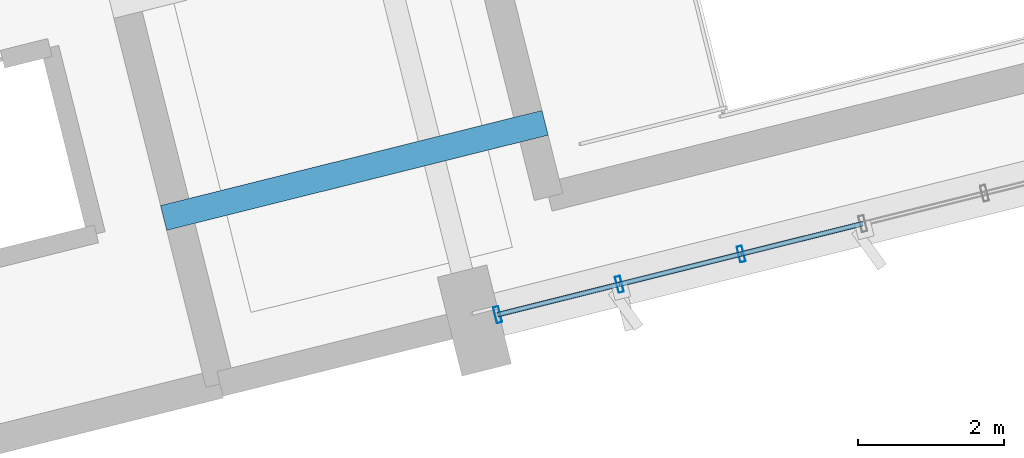
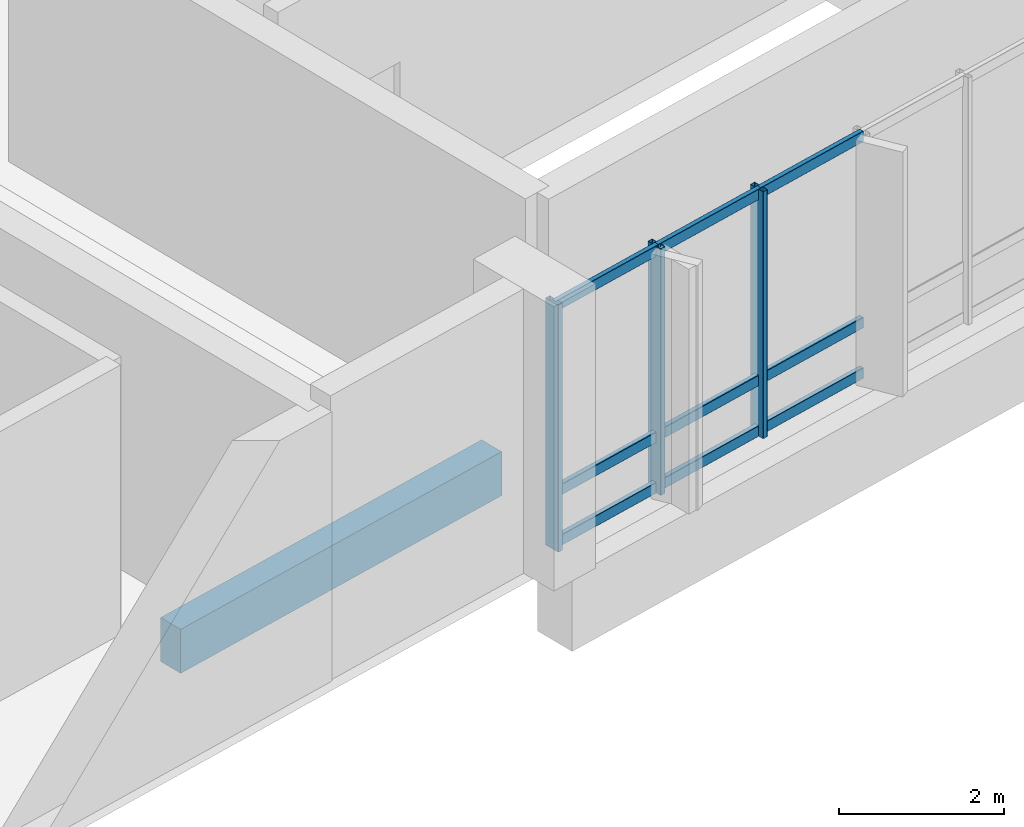
# One storey, part 3 of 22: 12 members, 1 beam, 1 element without a shape of its own.
"""IFC4 building model written with IfcOpenShell, lengths in metres."""

import ifcopenshell
import ifcopenshell.guid

model = None  # the IFC model being written
_history = None  # IfcOwnerHistory: only IFC2X3 demands one
_inside = {}  # id of a spatial element -> (the spatial element, [elements in it])
_under = {}  # id of a project, library or spatial element -> (it, [spatial elements below it])
_declared = {}  # id of a project -> (the project, [libraries it declares])
_typed = {}  # id of a type object -> (the type object, [elements of that type])
_made_of = {}  # id of a material, layer set ... -> (it, [elements and type objects made of it])


def new_model(schema):
    """Start an empty IFC model of exactly this schema.

    Asked for "IFC4X3", IfcOpenShell would pick the latest addendum, in which some entities
    have other attributes; the version numbers below select the first issue.
    IFC2X3 requires an IfcOwnerHistory on every rooted entity: one is made here for all.
    """
    global model, _history
    if schema == "IFC4X3":
        model = ifcopenshell.file(schema_version=(4, 3, 0, 0))
    else:
        model = ifcopenshell.file(schema=schema)
    _inside.clear()
    _under.clear()
    _declared.clear()
    _typed.clear()
    _made_of.clear()
    _history = None
    if model.schema == "IFC2X3":
        org = make("IfcOrganization", Name="unknown")
        user = make(
            "IfcPersonAndOrganization",
            ThePerson=make("IfcPerson", FamilyName="unknown"),
            TheOrganization=org,
        )
        app = make(
            "IfcApplication",
            ApplicationDeveloper=org,
            Version="unknown",
            ApplicationFullName="unknown",
            ApplicationIdentifier="unknown",
        )
        _history = make(
            "IfcOwnerHistory",
            OwningUser=user,
            OwningApplication=app,
            ChangeAction="ADDED",
            CreationDate=0,
        )
    return model


def make(cls, **values):
    """One entity of the class cls with the attributes given. An attribute that is None is left unset."""
    return model.create_entity(
        cls, **{name: value for name, value in values.items() if value is not None}
    )


def rooted(cls, **values):
    """An entity with a GlobalId (a new one), such as an element, a storey or a relation."""
    return make(cls, GlobalId=ifcopenshell.guid.new(), OwnerHistory=_history, **values)


def si_unit(unit_type, name, prefix=None):
    """IfcSIUnit, for example si_unit("LENGTHUNIT", "METRE", prefix="MILLI")."""
    return make("IfcSIUnit", UnitType=unit_type, Prefix=prefix, Name=name)


def assignment(units):
    """IfcUnitAssignment: the units of a project."""
    return None if units is None else make("IfcUnitAssignment", Units=units)


def point(xyz):
    """IfcCartesianPoint."""
    return None if xyz is None else make("IfcCartesianPoint", Coordinates=xyz)


def direction(xyz):
    """IfcDirection."""
    return None if xyz is None else make("IfcDirection", DirectionRatios=xyz)


def frame(location, z_axis=None, x_axis=None):
    """IfcAxis2Placement3D, a coordinate frame: its origin and axes. An axis left out is left unset."""
    return make(
        "IfcAxis2Placement3D",
        Location=point(location),
        Axis=direction(z_axis),
        RefDirection=direction(x_axis),
    )


def frame_2d(location, x_axis=None):
    """IfcAxis2Placement2D, a coordinate frame in the plane: its origin and x axis."""
    return make(
        "IfcAxis2Placement2D", Location=point(location), RefDirection=direction(x_axis)
    )


def origin():
    """The frame at (0, 0, 0) with its axes left unset."""
    return frame((0.0, 0.0, 0.0))


def origin_2d():
    """The frame at (0, 0) in the plane with its x axis left unset."""
    return frame_2d((0.0, 0.0))


def place(relative_to, where):
    """IfcLocalPlacement: puts the frame where relative to a parent placement (None: the world)."""
    return make(
        "IfcLocalPlacement", PlacementRelTo=relative_to, RelativePlacement=where
    )


def context(
    kind, dimensions, precision=None, world=None, true_north=None, identifier=None
):
    """IfcGeometricRepresentationContext, for example the 3D "Model" context."""
    return make(
        "IfcGeometricRepresentationContext",
        ContextIdentifier=identifier,
        ContextType=kind,
        CoordinateSpaceDimension=dimensions,
        Precision=precision,
        WorldCoordinateSystem=world,
        TrueNorth=true_north,
    )


def subcontext(parent, identifier, kind, view, scale=None):
    """IfcGeometricRepresentationSubContext, for example "Body" below "Model"."""
    return make(
        "IfcGeometricRepresentationSubContext",
        ContextIdentifier=identifier,
        ContextType=kind,
        ParentContext=parent,
        TargetScale=scale,
        TargetView=view,
    )


def project(units=None, contexts=None):
    """IfcProject with its units and contexts."""
    return rooted(
        "IfcProject",
        Name="project",
        RepresentationContexts=contexts,
        UnitsInContext=assignment(units),
    )


def spatial(cls, under=None, at=None, **own):
    """A site, building, storey or space (cls), placed at a placement, below another one or the project."""
    s = rooted(cls, ObjectPlacement=at, **own)
    if under is not None:
        _under.setdefault(under.id(), (under, []))[1].append(s)
    return s


def profile(cls, at=None, kind="AREA", **sizes):
    """A parametric profile (cls). Its sizes go by their IFC names, for example OverallWidth=200.0."""
    return make(cls, ProfileType=kind, Position=at, **sizes)


def rectangle(**sizes):
    """IfcRectangleProfileDef."""
    return profile("IfcRectangleProfileDef", **sizes)


def hollow_rectangle(**sizes):
    """IfcRectangleHollowProfileDef."""
    return profile("IfcRectangleHollowProfileDef", **sizes)


def extrude(swept, where, along, depth):
    """IfcExtrudedAreaSolid: the profile swept, set in the frame where, extruded along a direction by depth."""
    return make(
        "IfcExtrudedAreaSolid",
        SweptArea=swept,
        Position=where,
        ExtrudedDirection=direction(along),
        Depth=depth,
    )


def shape(context_of_items, identifier, shape_type, items):
    """IfcShapeRepresentation: the items that make up one representation, for example the "Body"."""
    return make(
        "IfcShapeRepresentation",
        ContextOfItems=context_of_items,
        RepresentationIdentifier=identifier,
        RepresentationType=shape_type,
        Items=items,
    )


def material(Name=None, Category=None):
    """IfcMaterial."""
    return make("IfcMaterial", Name=Name, Category=Category)


def layer(
    of_material, thickness, ventilated=None, Name=None, Category=None, Priority=None
):
    """IfcMaterialLayer: one layer of a wall or slab, of a material (None: an air gap)."""
    return make(
        "IfcMaterialLayer",
        Material=of_material,
        LayerThickness=thickness,
        IsVentilated=ventilated,
        Name=Name,
        Category=Category,
        Priority=Priority,
    )


def layer_set(layers, Name=None):
    """IfcMaterialLayerSet."""
    return make("IfcMaterialLayerSet", MaterialLayers=layers, LayerSetName=Name)


def material_profile(
    of_material, cross_section, Name=None, Category=None, Priority=None
):
    """IfcMaterialProfile: a cross section and its material."""
    return make(
        "IfcMaterialProfile",
        Name=Name,
        Material=of_material,
        Profile=cross_section,
        Priority=Priority,
        Category=Category,
    )


def profile_set(profiles, Name=None, composite=None):
    """IfcMaterialProfileSet."""
    return make(
        "IfcMaterialProfileSet",
        Name=Name,
        MaterialProfiles=profiles,
        CompositeProfile=composite,
    )


def made_of(thing, what):
    """Note that an element or type object is made of a material, layer set ...; save() writes the relation."""
    if what is not None:
        _made_of.setdefault(what.id(), (what, []))[1].append(thing)
    return thing


def type_object(cls, material=None, **own):
    """A type object (cls), such as IfcWallType, which elements share."""
    return made_of(rooted(cls, **own), material)


def element(
    cls,
    number,
    at=None,
    inside=None,
    cuts=None,
    type_object=None,
    material=None,
    context=None,
    identifier="Body",
    shape_type=None,
    held_by="IfcProductDefinitionShape",
    body=None,
    shapes=None,
    **own,
):
    """One element of the class cls, such as IfcWall. Its Tag is "e" and its number.

    at: its placement. inside: the storey or other place that contains it. cuts: it is an
    opening in that element (IfcRelVoidsElement). A single representation is given by context,
    identifier, shape_type and body (its items); several are given by shapes. held_by: the class
    of the entity that holds the representations. save() writes the other relations.
    """
    e = rooted(cls, Tag="e%d" % number, ObjectPlacement=at, **own)
    if body is not None:
        shapes = [shape(context, identifier, shape_type, body)]
    if shapes is not None:
        e.Representation = make(held_by, Representations=shapes)
    if inside is not None:
        _inside.setdefault(inside.id(), (inside, []))[1].append(e)
    if cuts is not None:
        rooted(
            "IfcRelVoidsElement", RelatingBuildingElement=cuts, RelatedOpeningElement=e
        )
    if type_object is not None:
        _typed.setdefault(type_object.id(), (type_object, []))[1].append(e)
    return made_of(e, material)


def aggregate(whole, parts):
    """IfcRelAggregates: a whole, such as a stair, and the parts it consists of."""
    return rooted("IfcRelAggregates", RelatingObject=whole, RelatedObjects=parts)


def save(model, path):
    """Write the relations noted so far, then the file.

    IfcRelAggregates (storeys below a building ...), IfcRelContainedInSpatialStructure (elements
    in a storey), IfcRelDefinesByType, IfcRelAssociatesMaterial and IfcRelDeclares: one each for
    every whole, place, type object, material and project.
    """
    for whole, parts in _under.values():
        aggregate(whole, parts)
    for where, things in _inside.values():
        rooted(
            "IfcRelContainedInSpatialStructure",
            RelatedElements=things,
            RelatingStructure=where,
        )
    for kind, things in _typed.values():
        rooted("IfcRelDefinesByType", RelatedObjects=things, RelatingType=kind)
    for what, things in _made_of.values():
        rooted("IfcRelAssociatesMaterial", RelatedObjects=things, RelatingMaterial=what)
    for by, libraries in _declared.values():
        rooted("IfcRelDeclares", RelatingContext=by, RelatedDefinitions=libraries)
    model.write(path)


model = new_model("IFC4")

# Units and contexts
model_context = context("Model", 3, precision=1e-05, world=origin(), true_north=direction((0.0, 1.0)))
body_context = subcontext(model_context, "Body", "Model", "MODEL_VIEW")
ifc_project = project(units=[si_unit("LENGTHUNIT", "METRE"), si_unit("AREAUNIT", "SQUARE_METRE"), si_unit("VOLUMEUNIT", "CUBIC_METRE"), si_unit("PLANEANGLEUNIT", "RADIAN"), si_unit("MASSUNIT", "GRAM", prefix="KILO")], contexts=[model_context])

# Site, building, storey
site_placement = place(None, origin())
site = spatial("IfcSite", under=ifc_project, at=site_placement, CompositionType="ELEMENT")
building_placement = place(site_placement, origin())
building = spatial("IfcBuilding", under=site, at=building_placement, Name="Khorjan Park Terminus", CompositionType="ELEMENT")
storey_placement = place(building_placement, frame((0.0, 0.0, 24.6)))
storey = spatial("IfcBuildingStorey", under=building, at=storey_placement, Name="L05", CompositionType="ELEMENT", Elevation=24.6)

# Beam
ifc_material_1 = material(Name="Concrete C40/50", Category="concrete")
ifc_material_profile_1 = material_profile(ifc_material_1, rectangle(XDim=0.35, YDim=0.65, at=origin_2d()), Name="RC 350x650")
ifc_profile_set_1 = profile_set([ifc_material_profile_1], Name="Concrete C40/50")
beam_type = type_object("IfcBeamType", Name="LN-RC350x650", PredefinedType="LINTEL", material=ifc_profile_set_1)
beam_placement = place(storey_placement, frame((193.752, 11.3928, -0.685), z_axis=(0.97029481357, 0.241925556235, 0.0), x_axis=(-0.241925556235, 0.97029481357, 0.0)))
element("IfcBeam", 1, at=beam_placement, inside=storey, type_object=beam_type, Name="Inter-core coupling lintel beam LN-65 (L05)", PredefinedType="LINTEL", context=body_context, shape_type="SweptSolid", body=[
    extrude(rectangle(XDim=0.35, YDim=0.65, at=origin_2d()), origin(), (0.0, 0.0, 1.0), 5.4),
])

# Curtain wall, members
ifc_material_2 = material(Name="Anodized Bronze Aluminium", Category="aluminium")
ifc_layer = layer(ifc_material_2, 0.22)
ifc_layer_set = layer_set([ifc_layer], Name="Anodized Bronze Aluminium")
curtain_wall_type = type_object("IfcCurtainWallType", Name="CW-OPS-B", PredefinedType="NOTDEFINED", material=ifc_layer_set)
curtain_wall_placement = place(storey_placement, origin())
curtain_wall = element("IfcCurtainWall", 2, at=curtain_wall_placement, inside=storey, type_object=curtain_wall_type, Name="Unitized curtain wall CW-B (CW-V5-S-L05-B03)", PredefinedType="NOTDEFINED")
ifc_material_profile_2 = material_profile(ifc_material_2, hollow_rectangle(XDim=0.075, YDim=0.225, WallThickness=0.005, InnerFilletRadius=0.005, OuterFilletRadius=0.01, at=origin_2d()), Name="ALM 75x225x5")
ifc_profile_set_2 = profile_set([ifc_material_profile_2], Name="Anodized Bronze Aluminium")
member_type_1 = type_object("IfcMemberType", Name="ML-ALM-225", PredefinedType="MULLION", material=ifc_profile_set_2)
member_1_placement = place(storey_placement, frame((198.3401, 10.0633, -0.035), z_axis=(0.0, 0.0, 1.0), x_axis=(0.970294772494, 0.241925720978, 0.0)))
member_1 = element("IfcMember", 3, at=member_1_placement, type_object=member_type_1, Name="Curtain-wall mullion ML-22 (CW-V5-S-L05-B03-0)", PredefinedType="MULLION", context=body_context, shape_type="SweptSolid", body=[
    extrude(hollow_rectangle(XDim=0.075, YDim=0.225, WallThickness=0.005, InnerFilletRadius=0.005, OuterFilletRadius=0.01, at=origin_2d()), origin(), (0.0, 0.0, 1.0), 3.645),
])
member_2_placement = place(storey_placement, frame((200.0122, 10.4802, -0.035), z_axis=(0.0, 0.0, 1.0), x_axis=(0.970294772494, 0.241925720978, 0.0)))
member_2 = element("IfcMember", 4, at=member_2_placement, type_object=member_type_1, Name="Curtain-wall mullion ML-22 (CW-V5-S-L05-B03-1)", PredefinedType="MULLION", context=body_context, shape_type="SweptSolid", body=[
    extrude(hollow_rectangle(XDim=0.075, YDim=0.225, WallThickness=0.005, InnerFilletRadius=0.005, OuterFilletRadius=0.01, at=origin_2d()), origin(), (0.0, 0.0, 1.0), 3.645),
])
member_3_placement = place(storey_placement, frame((201.6844, 10.8971, -0.035), z_axis=(0.0, 0.0, 1.0), x_axis=(0.970294772494, 0.241925720978, 0.0)))
member_3 = element("IfcMember", 5, at=member_3_placement, type_object=member_type_1, Name="Curtain-wall mullion ML-22 (CW-V5-S-L05-B03-2)", PredefinedType="MULLION", context=body_context, shape_type="SweptSolid", body=[
    extrude(hollow_rectangle(XDim=0.075, YDim=0.225, WallThickness=0.005, InnerFilletRadius=0.005, OuterFilletRadius=0.01, at=origin_2d()), origin(), (0.0, 0.0, 1.0), 3.645),
])
ifc_material_profile_3 = material_profile(ifc_material_2, hollow_rectangle(XDim=0.07, YDim=0.16, WallThickness=0.004, InnerFilletRadius=0.004, OuterFilletRadius=0.008, at=origin_2d()), Name="ALT 70x160x4")
ifc_profile_set_3 = profile_set([ifc_material_profile_3], Name="Anodized Bronze Aluminium")
member_type_2 = type_object("IfcMemberType", Name="TR-ALT-160", PredefinedType="USERDEFINED", material=ifc_profile_set_3)
member_4_placement = place(storey_placement, frame((198.3401, 10.0633, 0.04), z_axis=(0.970295910649, 0.241921156121, 0.0), x_axis=(-0.241921156121, 0.970295910649, 0.0)))
member_4 = element("IfcMember", 6, at=member_4_placement, type_object=member_type_2, Name="Curtain-wall transom TR-16 (CW-V5-S-L05-B03-0-1)", ObjectType="TRANSOM", PredefinedType="USERDEFINED", context=body_context, shape_type="SweptSolid", body=[
    extrude(hollow_rectangle(XDim=0.07, YDim=0.16, WallThickness=0.004, InnerFilletRadius=0.004, OuterFilletRadius=0.008, at=origin_2d()), origin(), (0.0, 0.0, 1.0), 1.7233),
])
member_5_placement = place(storey_placement, frame((198.3401, 10.0633, 0.786), z_axis=(0.970295910649, 0.241921156121, 0.0), x_axis=(-0.241921156121, 0.970295910649, 0.0)))
member_5 = element("IfcMember", 7, at=member_5_placement, type_object=member_type_2, Name="Curtain-wall transom TR-16 (CW-V5-S-L05-B03-0-2)", ObjectType="TRANSOM", PredefinedType="USERDEFINED", context=body_context, shape_type="SweptSolid", body=[
    extrude(hollow_rectangle(XDim=0.07, YDim=0.16, WallThickness=0.004, InnerFilletRadius=0.004, OuterFilletRadius=0.008, at=origin_2d()), origin(), (0.0, 0.0, 1.0), 1.7233),
])
member_6_placement = place(storey_placement, frame((198.3401, 10.0633, 3.535), z_axis=(0.970295910649, 0.241921156121, 0.0), x_axis=(-0.241921156121, 0.970295910649, 0.0)))
member_6 = element("IfcMember", 8, at=member_6_placement, type_object=member_type_2, Name="Curtain-wall transom TR-16 (CW-V5-S-L05-B03-0-3)", ObjectType="TRANSOM", PredefinedType="USERDEFINED", context=body_context, shape_type="SweptSolid", body=[
    extrude(hollow_rectangle(XDim=0.07, YDim=0.16, WallThickness=0.004, InnerFilletRadius=0.004, OuterFilletRadius=0.008, at=origin_2d()), origin(), (0.0, 0.0, 1.0), 1.7233),
])
member_7_placement = place(storey_placement, frame((200.0122, 10.4802, 0.04), z_axis=(0.970299306534, 0.241907535518, 0.0), x_axis=(-0.241907535518, 0.970299306534, 0.0)))
member_7 = element("IfcMember", 9, at=member_7_placement, type_object=member_type_2, Name="Curtain-wall transom TR-16 (CW-V5-S-L05-B03-1-1)", ObjectType="TRANSOM", PredefinedType="USERDEFINED", context=body_context, shape_type="SweptSolid", body=[
    extrude(hollow_rectangle(XDim=0.07, YDim=0.16, WallThickness=0.004, InnerFilletRadius=0.004, OuterFilletRadius=0.008, at=origin_2d()), origin(), (0.0, 0.0, 1.0), 1.7234),
])
member_8_placement = place(storey_placement, frame((200.0122, 10.4802, 0.786), z_axis=(0.970299306534, 0.241907535518, 0.0), x_axis=(-0.241907535518, 0.970299306534, 0.0)))
member_8 = element("IfcMember", 10, at=member_8_placement, type_object=member_type_2, Name="Curtain-wall transom TR-16 (CW-V5-S-L05-B03-1-2)", ObjectType="TRANSOM", PredefinedType="USERDEFINED", context=body_context, shape_type="SweptSolid", body=[
    extrude(hollow_rectangle(XDim=0.07, YDim=0.16, WallThickness=0.004, InnerFilletRadius=0.004, OuterFilletRadius=0.008, at=origin_2d()), origin(), (0.0, 0.0, 1.0), 1.7234),
])
member_9_placement = place(storey_placement, frame((200.0122, 10.4802, 3.535), z_axis=(0.970299306534, 0.241907535518, 0.0), x_axis=(-0.241907535518, 0.970299306534, 0.0)))
member_9 = element("IfcMember", 11, at=member_9_placement, type_object=member_type_2, Name="Curtain-wall transom TR-16 (CW-V5-S-L05-B03-1-3)", ObjectType="TRANSOM", PredefinedType="USERDEFINED", context=body_context, shape_type="SweptSolid", body=[
    extrude(hollow_rectangle(XDim=0.07, YDim=0.16, WallThickness=0.004, InnerFilletRadius=0.004, OuterFilletRadius=0.008, at=origin_2d()), origin(), (0.0, 0.0, 1.0), 1.7234),
])
member_10_placement = place(storey_placement, frame((201.6844, 10.8971, 0.04), z_axis=(0.970295910649, 0.241921156121, 0.0), x_axis=(-0.241921156121, 0.970295910649, 0.0)))
member_10 = element("IfcMember", 12, at=member_10_placement, type_object=member_type_2, Name="Curtain-wall transom TR-16 (CW-V5-S-L05-B03-2-1)", ObjectType="TRANSOM", PredefinedType="USERDEFINED", context=body_context, shape_type="SweptSolid", body=[
    extrude(hollow_rectangle(XDim=0.07, YDim=0.16, WallThickness=0.004, InnerFilletRadius=0.004, OuterFilletRadius=0.008, at=origin_2d()), origin(), (0.0, 0.0, 1.0), 1.7233),
])
member_11_placement = place(storey_placement, frame((201.6844, 10.8971, 0.786), z_axis=(0.970295910649, 0.241921156121, 0.0), x_axis=(-0.241921156121, 0.970295910649, 0.0)))
member_11 = element("IfcMember", 13, at=member_11_placement, type_object=member_type_2, Name="Curtain-wall transom TR-16 (CW-V5-S-L05-B03-2-2)", ObjectType="TRANSOM", PredefinedType="USERDEFINED", context=body_context, shape_type="SweptSolid", body=[
    extrude(hollow_rectangle(XDim=0.07, YDim=0.16, WallThickness=0.004, InnerFilletRadius=0.004, OuterFilletRadius=0.008, at=origin_2d()), origin(), (0.0, 0.0, 1.0), 1.7233),
])
member_12_placement = place(storey_placement, frame((201.6844, 10.8971, 3.535), z_axis=(0.970295910649, 0.241921156121, 0.0), x_axis=(-0.241921156121, 0.970295910649, 0.0)))
member_12 = element("IfcMember", 14, at=member_12_placement, type_object=member_type_2, Name="Curtain-wall transom TR-16 (CW-V5-S-L05-B03-2-3)", ObjectType="TRANSOM", PredefinedType="USERDEFINED", context=body_context, shape_type="SweptSolid", body=[
    extrude(hollow_rectangle(XDim=0.07, YDim=0.16, WallThickness=0.004, InnerFilletRadius=0.004, OuterFilletRadius=0.008, at=origin_2d()), origin(), (0.0, 0.0, 1.0), 1.7233),
])
aggregate(curtain_wall, [member_1, member_2, member_3, member_4, member_5, member_6, member_7, member_8, member_9, member_10, member_11, member_12])

save(model, "model.ifc")
